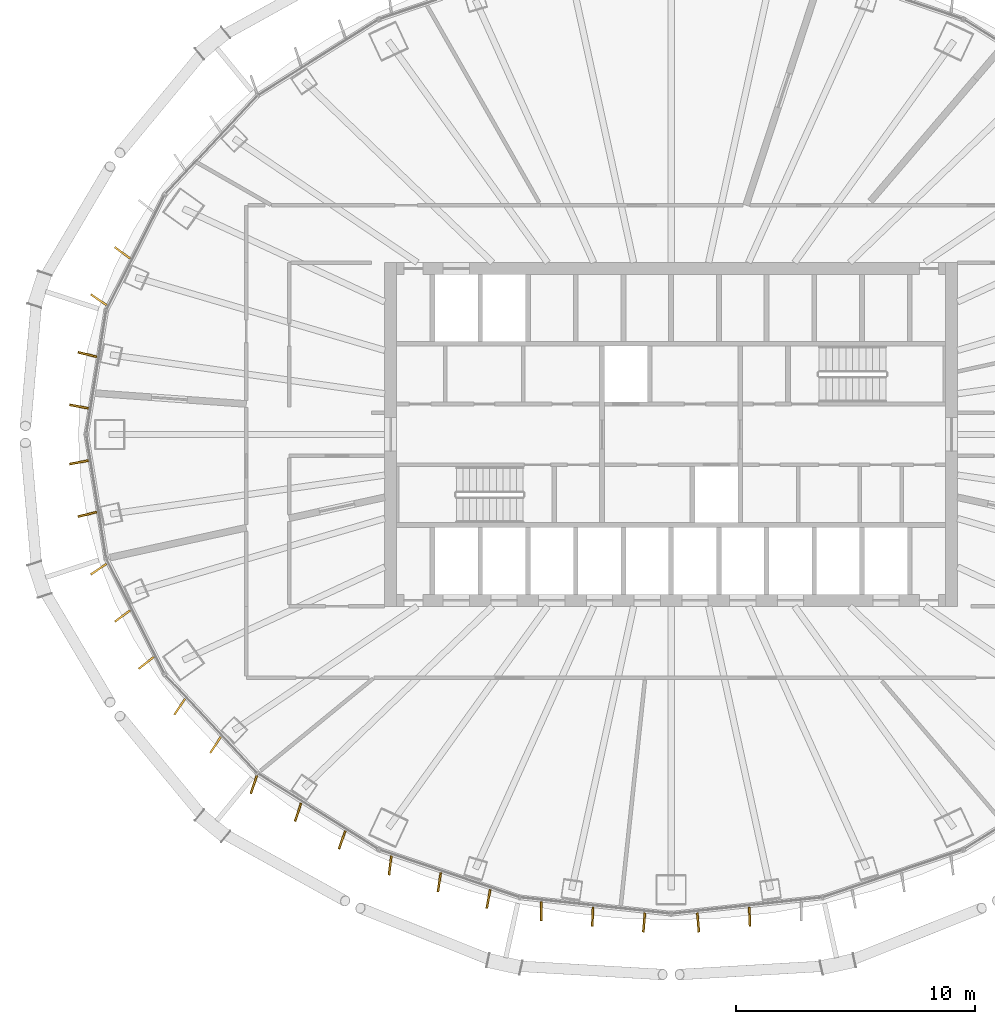
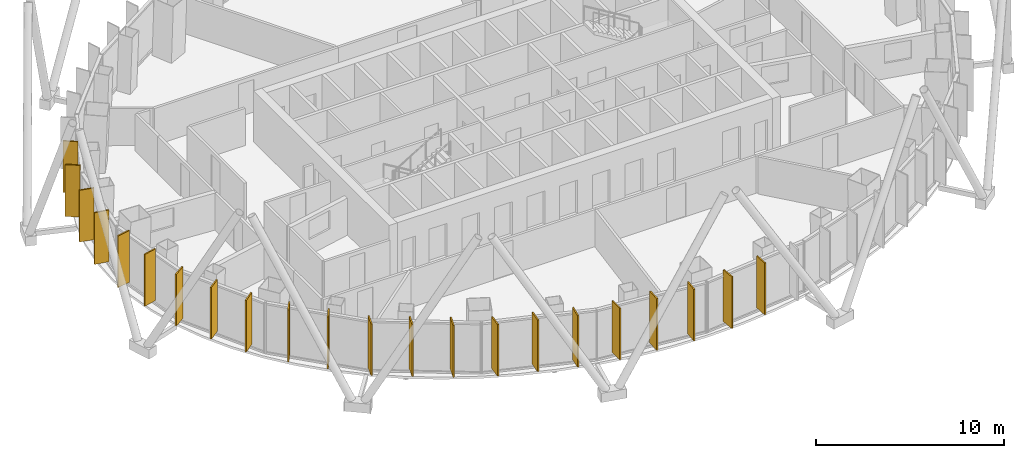
# One storey, part 15 of 18: 22 shading devices.
"""IFC4 building model written with IfcOpenShell, lengths in metres."""

from ifc_helpers import new_model, si_unit, direction, frame, origin, origin_2d, place, context, subcontext, project, spatial, rectangle, extrude, material, layer, layer_set, type_object, element, save


model = new_model("IFC4")

# Units and contexts
model_context = context("Model", 3, precision=1e-05, world=origin(), true_north=direction((0.0, 1.0)))
body_context = subcontext(model_context, "Body", "Model", "MODEL_VIEW")
ifc_project = project(units=[si_unit("LENGTHUNIT", "METRE"), si_unit("AREAUNIT", "SQUARE_METRE"), si_unit("VOLUMEUNIT", "CUBIC_METRE"), si_unit("PLANEANGLEUNIT", "RADIAN"), si_unit("MASSUNIT", "GRAM", prefix="KILO")], contexts=[model_context])

# Site, building, storey
site_placement = place(None, origin())
site = spatial("IfcSite", under=ifc_project, at=site_placement, CompositionType="ELEMENT")
building_placement = place(site_placement, origin())
building = spatial("IfcBuilding", under=site, at=building_placement, Name="Siaravel Broadcast Tower", CompositionType="ELEMENT")
storey_placement = place(building_placement, frame((0.0, 0.0, 141.5)))
storey = spatial("IfcBuildingStorey", under=building, at=storey_placement, Name="L34", CompositionType="ELEMENT", Elevation=141.5)

# Shading devices
ifc_material = material(Name="Bronze anodised aluminium", Category="aluminium")
ifc_layer = layer(ifc_material, 0.080078125)
ifc_layer_set = layer_set([ifc_layer], Name="Bronze anodised aluminium")
shading_device_type = type_object("IfcShadingDeviceType", Name="Bronze fin zone 2", PredefinedType="USERDEFINED", material=ifc_layer_set)
for number, where, z_axis, x_axis, name in (
    (1, (-22.989013671875, 7.609619140625, 0.300048828125), (0.0, 0.0, 1.0), (-0.804740485, 0.593626778, 0.0), "Bronze fin L34-29"),
    (2, (-23.985595703125, 5.644287109375, 0.300048828125), (0.0, 0.0, 1.0), (-0.828413409, 0.560117152, 0.0), "Bronze fin L34-30"),
    (3, (-24.457763671875, 3.347900390625, 0.300048828125), (0.0, 0.0, 1.0), (-0.971853374, 0.235586543, 0.0), "Bronze fin L34-31"),
    (4, (-24.80908203125, 1.167724609375, 0.300048828125), (0.0, 0.0, 1.0), (-0.982795407, 0.18469756, 0.0), "Bronze fin L34-32"),
    (5, (-24.80908203125, -1.167724609375, 0.300048828125), (0.0, 0.0, 1.0), (-0.982795407, -0.18469756, 0.0), "Bronze fin L34-33"),
    (6, (-24.457763671875, -3.347900390625, 0.300048828125), (0.0, 0.0, 1.0), (-0.971853374, -0.235586543, 0.0), "Bronze fin L34-34"),
    (7, (-23.985595703125, -5.644287109375, 0.300048828125), (0.0, 0.0, 1.0), (-0.828413409, -0.560117152, 0.0), "Bronze fin L34-35"),
    (8, (-22.989013671875, -7.609619140625, 0.300048828125), (0.0, 0.0, 1.0), (-0.804740485, -0.593626778, 0.0), "Bronze fin L34-36"),
    (9, (-21.99365234375, -9.572509765625, 0.300048828125), (0.0, 0.0, 1.0), (-0.784288272, -0.620396571, 0.0), "Bronze fin L34-37"),
    (10, (-20.59130859375, -11.411376953125, 0.300048828125), (0.0, 0.0, 1.0), (-0.558868745, -0.829256128, 0.0), "Bronze fin L34-38"),
    (11, (-19.0908203125, -13.010986328125, 0.300048828125), (0.0, 0.0, 1.0), (-0.546758274, -0.837290505, 0.0), "Bronze fin L34-39"),
    (12, (-17.4814453125, -14.664306640625, 0.300048828125), (0.0, 0.0, 1.0), (-0.311520719, -0.95023936, 0.0), "Bronze fin L34-40"),
    (13, (-15.631103515625, -15.827880859375, 0.300048828125), (0.0, 0.0, 1.0), (-0.315821266, -0.948818701, 0.0), "Bronze fin L34-41"),
    (14, (-13.783935546875, -16.989990234375, 0.300048828125), (0.0, 0.0, 1.0), (-0.328449608, -0.944521495, 0.0), "Bronze fin L34-42"),
    (15, (-11.77197265625, -18.059326171875, 0.300048828125), (0.0, 0.0, 1.0), (-0.121469168, -0.992595205, 0.0), "Bronze fin L34-43"),
    (16, (-9.711181640625, -18.760498046875, 0.300048828125), (0.0, 0.0, 1.0), (-0.148867461, -0.988857158, 0.0), "Bronze fin L34-44"),
    (17, (-7.653076171875, -19.461181640625, 0.300048828125), (0.0, 0.0, 1.0), (-0.182130842, -0.983274304, 0.0), "Bronze fin L34-45"),
    (18, (-5.447509765625, -19.980712890625, 0.300048828125), (0.0, 0.0, 1.0), (-0.001307251, -0.999999146, 0.0), "Bronze fin L34-46"),
    (19, (-3.288818359375, -20.21484375, 0.300048828125), (0.0, 0.0, 1.0), (-0.042405762, -0.999100471, 0.0), "Bronze fin L34-47"),
    (20, (-1.131103515625, -20.448486328125, 0.300048828125), (0.0, 0.0, 1.0), (-0.085556038, -0.99633336, 0.0), "Bronze fin L34-48"),
    (21, (1.131103515625, -20.448486328125, 0.300048828125), (0.0, 0.0, 1.0), (0.085556038, -0.99633336, 0.0), "Bronze fin L34-49"),
    (22, (3.288818359375, -20.21484375, 0.300048828125), (0.0, 0.0, 1.0), (0.042405762, -0.999100471, 0.0), "Bronze fin L34-50"),
):
    element("IfcShadingDevice", number, at=place(storey_placement, frame(where, z_axis=z_axis, x_axis=x_axis)), inside=storey, type_object=shading_device_type, Name=name, ObjectType="FIN", PredefinedType="USERDEFINED", context=body_context, shape_type="SweptSolid", body=[
        extrude(rectangle(XDim=0.800048828125, YDim=0.080078125, at=origin_2d()), origin(), (0.0, 0.0, 1.0), 3.35009765625),
    ])

save(model, "model.ifc")
